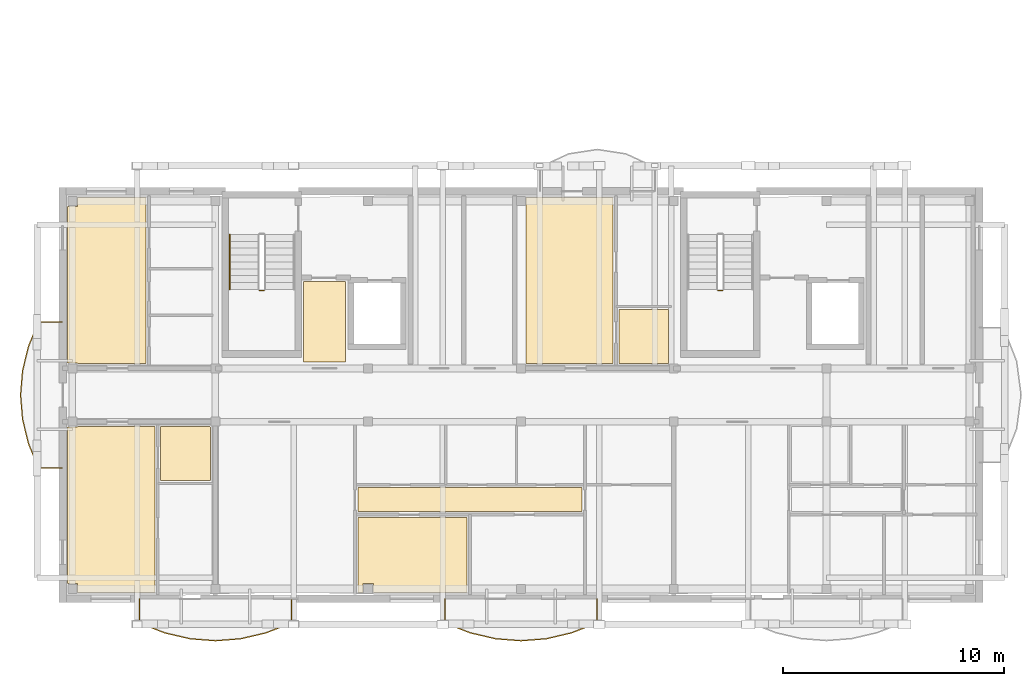
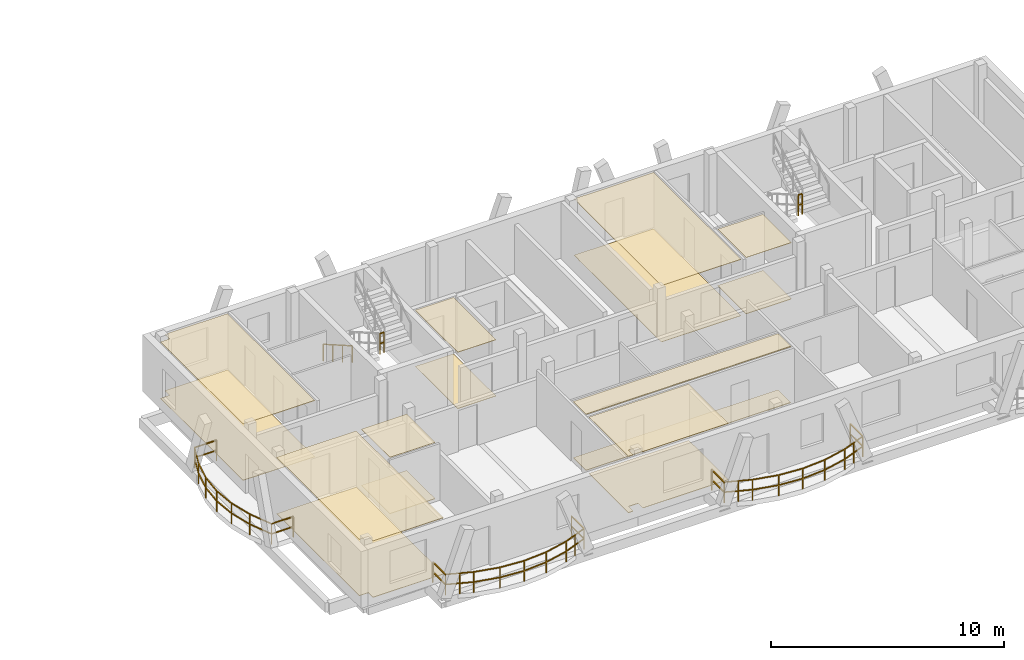
# One storey, part 8 of 10: 16 coverings, 6 railings.
"""IFC4 building model written with IfcOpenShell, lengths in metres."""

from ifc_helpers import new_model, si_unit, direction, frame, origin, origin_2d, place, context, subcontext, project, spatial, polyline, rectangle, outline, extrude, material, layer, layer_set, type_object, element, save


model = new_model("IFC4")

# Units and contexts
model_context = context("Model", 3, precision=1e-05, world=origin(), true_north=direction((0.0, 1.0)))
body_context = subcontext(model_context, "Body", "Model", "MODEL_VIEW")
ifc_project = project(units=[si_unit("LENGTHUNIT", "METRE"), si_unit("AREAUNIT", "SQUARE_METRE"), si_unit("VOLUMEUNIT", "CUBIC_METRE"), si_unit("PLANEANGLEUNIT", "RADIAN"), si_unit("MASSUNIT", "GRAM", prefix="KILO")], contexts=[model_context])

# Site, building, storey
site_placement = place(None, origin())
site = spatial("IfcSite", under=ifc_project, at=site_placement, CompositionType="ELEMENT")
building_placement = place(site_placement, origin())
building = spatial("IfcBuilding", under=site, at=building_placement, Name="Zavelmont Quarter", CompositionType="ELEMENT")
storey_placement = place(building_placement, frame((0.0, 0.0, 43.199951171875)))
storey = spatial("IfcBuildingStorey", under=building, at=storey_placement, Name="L13", CompositionType="ELEMENT", Elevation=43.199951171875)

# Coverings
ifc_material_1 = material(Name="Perforated acoustic gypsum board")
ifc_layer_1 = layer(ifc_material_1, 0.02490234375)
ifc_layer_set_1 = layer_set([ifc_layer_1], Name="Perforated acoustic gypsum board")
covering_type_1 = type_object("IfcCoveringType", Name="CV-CL01", PredefinedType="CEILING", material=ifc_layer_set_1)
covering_1_placement = place(storey_placement, frame((0.0, 0.0, 2.945068359375)))
element("IfcCovering", 1, at=covering_1_placement, inside=storey, type_object=covering_type_1, Name="L13 Lobby Vestibule acoustic ceiling", PredefinedType="CEILING", context=body_context, shape_type="SweptSolid", body=[
    extrude(outline(polyline([(10.8798828125, 14.320068359375), (12.77001953125, 14.320068359375), (12.77001953125, 10.679931640625), (10.8798828125, 10.679931640625), (10.8798828125, 14.320068359375)])), origin(), (0.0, 0.0, 1.0), 0.02490234375),
])
covering_2_placement = place(storey_placement, frame((0.0, 0.0, 2.945068359375)))
element("IfcCovering", 2, at=covering_2_placement, inside=storey, type_object=covering_type_1, Name="L13 Residents Study Lounge acoustic ceiling", PredefinedType="CEILING", context=body_context, shape_type="SweptSolid", body=[
    extrude(outline(polyline([(0.22998046875, 7.760009765625), (0.679931640625, 7.760009765625), (0.679931640625, 7.77001953125), (4.169921875, 7.77001953125), (4.169921875, 0.280029296875), (0.679931640625, 0.280029296875), (0.679931640625, 0.679931640625), (0.22998046875, 0.679931640625), (0.22998046875, 7.760009765625)])), origin(), (0.0, 0.0, 1.0), 0.02490234375),
])
covering_3_placement = place(storey_placement, frame((0.0, 0.0, 2.945068359375)))
element("IfcCovering", 3, at=covering_3_placement, inside=storey, type_object=covering_type_1, Name="L13 Single Bedroom acoustic ceiling", PredefinedType="CEILING", context=body_context, shape_type="SweptSolid", body=[
    extrude(outline(polyline([(13.330078125, 3.669921875), (18.27001953125, 3.669921875), (18.27001953125, 0.280029296875), (14.0400390625, 0.280029296875), (14.0400390625, 0.679931640625), (13.56005859375, 0.679931640625), (13.56005859375, 0.280029296875), (13.330078125, 0.280029296875), (13.330078125, 3.669921875)])), origin(), (0.0, 0.0, 1.0), 0.02490234375),
])
covering_4_placement = place(storey_placement, frame((0.0, 0.0, 2.945068359375)))
element("IfcCovering", 4, at=covering_4_placement, inside=storey, type_object=covering_type_1, Name="L13 Living Dining acoustic ceiling", PredefinedType="CEILING", context=body_context, shape_type="SweptSolid", body=[
    extrude(outline(polyline([(0.22998046875, 17.719970703125), (0.679931640625, 17.719970703125), (0.679931640625, 18.1201171875), (3.77001953125, 18.1201171875), (3.77001953125, 10.6298828125), (0.679931640625, 10.6298828125), (0.679931640625, 10.639892578125), (0.22998046875, 10.639892578125), (0.22998046875, 17.719970703125)])), origin(), (0.0, 0.0, 1.0), 0.02490234375),
])
covering_5_placement = place(storey_placement, frame((0.0, 0.0, 2.945068359375)))
element("IfcCovering", 5, at=covering_5_placement, inside=storey, type_object=covering_type_1, Name="L13 Residents Study Lounge acoustic ceiling", PredefinedType="CEILING", context=body_context, shape_type="SweptSolid", body=[
    extrude(outline(polyline([(20.929931640625, 17.719970703125), (20.93994140625, 17.719970703125), (20.93994140625, 18.1201171875), (24.8701171875, 18.1201171875), (24.8701171875, 10.6298828125), (20.93994140625, 10.6298828125), (20.93994140625, 10.639892578125), (20.929931640625, 10.639892578125), (20.929931640625, 17.719970703125)])), origin(), (0.0, 0.0, 1.0), 0.02490234375),
])
ifc_material_2 = material(Name="Slatted European ash acoustic baffle ceiling")
ifc_layer_2 = layer(ifc_material_2, 0.0400390625)
ifc_layer_set_2 = layer_set([ifc_layer_2], Name="Slatted European ash acoustic baffle ceiling")
covering_type_2 = type_object("IfcCoveringType", Name="CV-CL02", PredefinedType="CEILING", material=ifc_layer_set_2)
covering_6_placement = place(storey_placement, frame((0.0, 0.0, 2.929931640625)))
element("IfcCovering", 6, at=covering_6_placement, inside=storey, type_object=covering_type_2, Name="L13 Apartment Hall acoustic ceiling", PredefinedType="CEILING", context=body_context, shape_type="SweptSolid", body=[
    extrude(outline(polyline([(13.330078125, 5.02001953125), (23.469970703125, 5.02001953125), (23.469970703125, 3.929931640625), (13.330078125, 3.929931640625), (13.330078125, 5.02001953125)])), origin(), (0.0, 0.0, 1.0), 0.0400390625),
])
ifc_material_3 = material(Name="Moisture-resistant painted gypsum ceiling")
ifc_layer_3 = layer(ifc_material_3, 0.02001953125)
ifc_layer_set_3 = layer_set([ifc_layer_3], Name="Moisture-resistant painted gypsum ceiling")
covering_type_3 = type_object("IfcCoveringType", Name="CV-CL04", PredefinedType="CEILING", material=ifc_layer_set_3)
covering_7_placement = place(storey_placement, frame((0.0, 0.0, 2.949951171875)))
element("IfcCovering", 7, at=covering_7_placement, inside=storey, type_object=covering_type_3, Name="L13 Accessible Toilet acoustic ceiling", PredefinedType="CEILING", context=body_context, shape_type="SweptSolid", body=[
    extrude(outline(polyline([(4.429931640625, 7.77001953125), (6.659912109375, 7.77001953125), (6.659912109375, 7.760009765625), (6.669921875, 7.760009765625), (6.669921875, 5.330078125), (4.429931640625, 5.330078125), (4.429931640625, 7.77001953125)])), origin(), (0.0, 0.0, 1.0), 0.02001953125),
])
covering_8_placement = place(storey_placement, frame((0.0, 0.0, 2.949951171875)))
element("IfcCovering", 8, at=covering_8_placement, inside=storey, type_object=covering_type_3, Name="L13 Accessible Toilet acoustic ceiling", PredefinedType="CEILING", context=body_context, shape_type="SweptSolid", body=[
    extrude(outline(polyline([(25.1298828125, 13.070068359375), (27.3701171875, 13.070068359375), (27.3701171875, 10.639892578125), (27.360107421875, 10.639892578125), (27.360107421875, 10.6298828125), (25.1298828125, 10.6298828125), (25.1298828125, 13.070068359375)])), origin(), (0.0, 0.0, 1.0), 0.02001953125),
])
ifc_material_4 = material(Name="Engineered European oak parquet")
ifc_layer_4 = layer(ifc_material_4, 0.02197265625)
ifc_layer_set_4 = layer_set([ifc_layer_4], Name="Engineered European oak parquet")
covering_type_4 = type_object("IfcCoveringType", Name="CV-FL01", PredefinedType="FLOORING", material=ifc_layer_set_4)
covering_9_placement = place(storey_placement, origin())
element("IfcCovering", 9, at=covering_9_placement, inside=storey, type_object=covering_type_4, Name="L13 Lobby Vestibule floor finish", PredefinedType="FLOORING", context=body_context, shape_type="SweptSolid", body=[
    extrude(outline(polyline([(10.8798828125, 14.320068359375), (12.77001953125, 14.320068359375), (12.77001953125, 10.679931640625), (10.8798828125, 10.679931640625), (10.8798828125, 14.320068359375)])), origin(), (0.0, 0.0, 1.0), 0.02197265625),
])
covering_10_placement = place(storey_placement, origin())
element("IfcCovering", 10, at=covering_10_placement, inside=storey, type_object=covering_type_4, Name="L13 Residents Study Lounge floor finish", PredefinedType="FLOORING", context=body_context, shape_type="SweptSolid", body=[
    extrude(outline(polyline([(0.22998046875, 7.760009765625), (0.679931640625, 7.760009765625), (0.679931640625, 7.77001953125), (4.169921875, 7.77001953125), (4.169921875, 0.280029296875), (0.679931640625, 0.280029296875), (0.679931640625, 0.679931640625), (0.22998046875, 0.679931640625), (0.22998046875, 7.760009765625)])), origin(), (0.0, 0.0, 1.0), 0.02197265625),
])
covering_11_placement = place(storey_placement, origin())
element("IfcCovering", 11, at=covering_11_placement, inside=storey, type_object=covering_type_4, Name="L13 Single Bedroom floor finish", PredefinedType="FLOORING", context=body_context, shape_type="SweptSolid", body=[
    extrude(outline(polyline([(13.330078125, 3.669921875), (18.27001953125, 3.669921875), (18.27001953125, 0.280029296875), (14.0400390625, 0.280029296875), (14.0400390625, 0.679931640625), (13.56005859375, 0.679931640625), (13.56005859375, 0.280029296875), (13.330078125, 0.280029296875), (13.330078125, 3.669921875)])), origin(), (0.0, 0.0, 1.0), 0.02197265625),
])
covering_12_placement = place(storey_placement, origin())
element("IfcCovering", 12, at=covering_12_placement, inside=storey, type_object=covering_type_4, Name="L13 Living Dining floor finish", PredefinedType="FLOORING", context=body_context, shape_type="SweptSolid", body=[
    extrude(outline(polyline([(0.22998046875, 17.719970703125), (0.679931640625, 17.719970703125), (0.679931640625, 18.1201171875), (3.77001953125, 18.1201171875), (3.77001953125, 10.6298828125), (0.679931640625, 10.6298828125), (0.679931640625, 10.639892578125), (0.22998046875, 10.639892578125), (0.22998046875, 17.719970703125)])), origin(), (0.0, 0.0, 1.0), 0.02197265625),
])
covering_13_placement = place(storey_placement, origin())
element("IfcCovering", 13, at=covering_13_placement, inside=storey, type_object=covering_type_4, Name="L13 Residents Study Lounge floor finish", PredefinedType="FLOORING", context=body_context, shape_type="SweptSolid", body=[
    extrude(outline(polyline([(20.929931640625, 17.719970703125), (20.93994140625, 17.719970703125), (20.93994140625, 18.1201171875), (24.8701171875, 18.1201171875), (24.8701171875, 10.6298828125), (20.93994140625, 10.6298828125), (20.93994140625, 10.639892578125), (20.929931640625, 10.639892578125), (20.929931640625, 17.719970703125)])), origin(), (0.0, 0.0, 1.0), 0.02197265625),
])
ifc_material_5 = material(Name="Honed Belgian bluestone tile", Category="masonry")
ifc_layer_5 = layer(ifc_material_5, 0.030029296875)
ifc_layer_set_5 = layer_set([ifc_layer_5], Name="Honed Belgian bluestone tile")
covering_type_5 = type_object("IfcCoveringType", Name="CV-FL02", PredefinedType="FLOORING", material=ifc_layer_set_5)
covering_14_placement = place(storey_placement, origin())
element("IfcCovering", 14, at=covering_14_placement, inside=storey, type_object=covering_type_5, Name="L13 Apartment Hall floor finish", PredefinedType="FLOORING", context=body_context, shape_type="SweptSolid", body=[
    extrude(outline(polyline([(13.330078125, 5.02001953125), (23.469970703125, 5.02001953125), (23.469970703125, 3.929931640625), (13.330078125, 3.929931640625), (13.330078125, 5.02001953125)])), origin(), (0.0, 0.0, 1.0), 0.030029296875),
])
ifc_material_6 = material(Name="Slip-resistant porcelain tile")
ifc_layer_6 = layer(ifc_material_6, 0.02587890625)
ifc_layer_set_6 = layer_set([ifc_layer_6], Name="Slip-resistant porcelain tile")
covering_type_6 = type_object("IfcCoveringType", Name="CV-FL04", PredefinedType="FLOORING", material=ifc_layer_set_6)
covering_15_placement = place(storey_placement, origin())
element("IfcCovering", 15, at=covering_15_placement, inside=storey, type_object=covering_type_6, Name="L13 Accessible Toilet floor finish", PredefinedType="FLOORING", context=body_context, shape_type="SweptSolid", body=[
    extrude(outline(polyline([(4.429931640625, 7.77001953125), (6.659912109375, 7.77001953125), (6.659912109375, 7.760009765625), (6.669921875, 7.760009765625), (6.669921875, 5.330078125), (4.429931640625, 5.330078125), (4.429931640625, 7.77001953125)])), origin(), (0.0, 0.0, 1.0), 0.026123046875),
])
covering_16_placement = place(storey_placement, origin())
element("IfcCovering", 16, at=covering_16_placement, inside=storey, type_object=covering_type_6, Name="L13 Accessible Toilet floor finish", PredefinedType="FLOORING", context=body_context, shape_type="SweptSolid", body=[
    extrude(outline(polyline([(25.1298828125, 13.070068359375), (27.3701171875, 13.070068359375), (27.3701171875, 10.639892578125), (27.360107421875, 10.639892578125), (27.360107421875, 10.6298828125), (25.1298828125, 10.6298828125), (25.1298828125, 13.070068359375)])), origin(), (0.0, 0.0, 1.0), 0.026123046875),
])

# Railings
ifc_material_7 = material(Name="Powder-coated steel and tempered double safety glass", Category="steel")
railing_type_1 = type_object("IfcRailingType", Name="RL-BAL1", PredefinedType="BALUSTRADE", material=ifc_material_7)
railing_1_placement = place(storey_placement, frame((3.47119140625, -0.02001953125, 0.0)))
element("IfcRailing", 17, at=railing_1_placement, inside=storey, type_object=railing_type_1, Name="L13 Block A curved balcony guard RL-BAL1", PredefinedType="BALUSTRADE", context=body_context, shape_type="SweptSolid", body=[
    extrude(rectangle(XDim=0.048095703125, YDim=0.048095703125, at=origin_2d()), frame((0.0, 0.0, 1.076171875), z_axis=(0.0, -1.0, 0.0), x_axis=(1.0, 0.0, 0.0)), (0.0, 0.0, 1.0), 1.080078125),
    extrude(rectangle(XDim=0.048095703125, YDim=0.048095703125, at=origin_2d()), frame((0.0, 0.0, 0.550048828125), z_axis=(0.0, -1.0, 0.0), x_axis=(1.0, 0.0, 0.0)), (0.0, 0.0, 1.0), 1.080078125),
    extrude(rectangle(XDim=0.048095703125, YDim=0.048095703125, at=origin_2d()), frame((0.0, -1.080078125, 1.076171875), z_axis=(0.931694301738, -0.363243345582, 0.0), x_axis=(0.363243345582, 0.931694301738, 0.0)), (0.0, 0.0, 1.0), 1.2265625),
    extrude(rectangle(XDim=0.048095703125, YDim=0.048095703125, at=origin_2d()), frame((0.0, -1.080078125, 0.550048828125), z_axis=(0.931694301738, -0.363243345582, 0.0), x_axis=(0.363243345582, 0.931694301738, 0.0)), (0.0, 0.0, 1.0), 1.2265625),
    extrude(rectangle(XDim=0.048095703125, YDim=0.048095703125, at=origin_2d()), frame((1.142822265625, -1.525634765625, 1.076171875), z_axis=(0.973724494565, -0.227729244244, 0.0), x_axis=(0.227729244244, 0.973724494565, 0.0)), (0.0, 0.0, 1.0), 1.173828125),
    extrude(rectangle(XDim=0.048095703125, YDim=0.048095703125, at=origin_2d()), frame((1.142822265625, -1.525634765625, 0.550048828125), z_axis=(0.973724494565, -0.227729244244, 0.0), x_axis=(0.227729244244, 0.973724494565, 0.0)), (0.0, 0.0, 1.0), 1.173828125),
    extrude(rectangle(XDim=0.048095703125, YDim=0.048095703125, at=origin_2d()), frame((2.285888671875, -1.79296875, 1.076171875), z_axis=(0.996973758773, -0.077738821182, 0.0), x_axis=(0.077738821182, 0.996973758773, 0.0)), (0.0, 0.0, 1.0), 1.146240234375),
    extrude(rectangle(XDim=0.048095703125, YDim=0.048095703125, at=origin_2d()), frame((2.285888671875, -1.79296875, 0.550048828125), z_axis=(0.996973758773, -0.077738821182, 0.0), x_axis=(0.077738821182, 0.996973758773, 0.0)), (0.0, 0.0, 1.0), 1.146240234375),
    extrude(rectangle(XDim=0.048095703125, YDim=0.048095703125, at=origin_2d()), frame((3.4287109375, -1.882080078125, 1.076171875), z_axis=(0.996975045489, 0.077722317728, 0.0), x_axis=(-0.077722317728, 0.996975045489, 0.0)), (0.0, 0.0, 1.0), 1.146484375),
    extrude(rectangle(XDim=0.048095703125, YDim=0.048095703125, at=origin_2d()), frame((3.4287109375, -1.882080078125, 0.550048828125), z_axis=(0.996975045489, 0.077722317728, 0.0), x_axis=(-0.077722317728, 0.996975045489, 0.0)), (0.0, 0.0, 1.0), 1.146484375),
    extrude(rectangle(XDim=0.048095703125, YDim=0.048095703125, at=origin_2d()), frame((4.57177734375, -1.79296875, 1.076171875), z_axis=(0.973713705738, 0.227775370174, 0.0), x_axis=(-0.227775370174, 0.973713705738, 0.0)), (0.0, 0.0, 1.0), 1.173583984375),
    extrude(rectangle(XDim=0.048095703125, YDim=0.048095703125, at=origin_2d()), frame((4.57177734375, -1.79296875, 0.550048828125), z_axis=(0.973713705738, 0.227775370174, 0.0), x_axis=(-0.227775370174, 0.973713705738, 0.0)), (0.0, 0.0, 1.0), 1.173583984375),
    extrude(rectangle(XDim=0.048095703125, YDim=0.048095703125, at=origin_2d()), frame((5.714599609375, -1.525634765625, 1.076171875), z_axis=(0.931720556575, 0.363175996529, 0.0), x_axis=(-0.363175996529, 0.931720556575, 0.0)), (0.0, 0.0, 1.0), 1.226806640625),
    extrude(rectangle(XDim=0.048095703125, YDim=0.048095703125, at=origin_2d()), frame((5.714599609375, -1.525634765625, 0.550048828125), z_axis=(0.931720556575, 0.363175996529, 0.0), x_axis=(-0.363175996529, 0.931720556575, 0.0)), (0.0, 0.0, 1.0), 1.226806640625),
    extrude(rectangle(XDim=0.048095703125, YDim=0.048095703125, at=origin_2d()), frame((6.857666015625, -1.080078125, 1.076171875), z_axis=(0.0, 1.0, 0.0), x_axis=(-1.0, 0.0, 0.0)), (0.0, 0.0, 1.0), 1.080078125),
    extrude(rectangle(XDim=0.048095703125, YDim=0.048095703125, at=origin_2d()), frame((6.857666015625, -1.080078125, 0.550048828125), z_axis=(0.0, 1.0, 0.0), x_axis=(-1.0, 0.0, 0.0)), (0.0, 0.0, 1.0), 1.080078125),
    extrude(rectangle(XDim=0.0419921875, YDim=0.0419921875, at=origin_2d()), origin(), (0.0, 0.0, 1.0), 1.052001953125),
    extrude(rectangle(XDim=0.0419921875, YDim=0.0419921875, at=origin_2d()), frame((0.0, -1.080078125, 0.0)), (0.0, 0.0, 1.0), 1.052001953125),
    extrude(rectangle(XDim=0.0419921875, YDim=0.0419921875, at=origin_2d()), frame((0.5712890625, -1.302734375, 0.0)), (0.0, 0.0, 1.0), 1.052001953125),
    extrude(rectangle(XDim=0.0419921875, YDim=0.0419921875, at=origin_2d()), frame((1.142822265625, -1.525634765625, 0.0)), (0.0, 0.0, 1.0), 1.052001953125),
    extrude(rectangle(XDim=0.0419921875, YDim=0.0419921875, at=origin_2d()), frame((2.285888671875, -1.79296875, 0.0)), (0.0, 0.0, 1.0), 1.052001953125),
    extrude(rectangle(XDim=0.0419921875, YDim=0.0419921875, at=origin_2d()), frame((3.4287109375, -1.882080078125, 0.0)), (0.0, 0.0, 1.0), 1.052001953125),
    extrude(rectangle(XDim=0.0419921875, YDim=0.0419921875, at=origin_2d()), frame((4.57177734375, -1.79296875, 0.0)), (0.0, 0.0, 1.0), 1.052001953125),
    extrude(rectangle(XDim=0.0419921875, YDim=0.0419921875, at=origin_2d()), frame((5.714599609375, -1.525634765625, 0.0)), (0.0, 0.0, 1.0), 1.052001953125),
    extrude(rectangle(XDim=0.0419921875, YDim=0.0419921875, at=origin_2d()), frame((6.2861328125, -1.302734375, 0.0)), (0.0, 0.0, 1.0), 1.052001953125),
    extrude(rectangle(XDim=0.0419921875, YDim=0.0419921875, at=origin_2d()), frame((6.857666015625, -1.080078125, 0.0)), (0.0, 0.0, 1.0), 1.052001953125),
    extrude(rectangle(XDim=0.0419921875, YDim=0.0419921875, at=origin_2d()), frame((6.857666015625, 0.0, 0.0)), (0.0, 0.0, 1.0), 1.052001953125),
])
railing_2_placement = place(storey_placement, frame((17.27099609375, -0.02001953125, 0.0)))
element("IfcRailing", 18, at=railing_2_placement, inside=storey, type_object=railing_type_1, Name="L13 Block A curved balcony guard RL-BAL1", PredefinedType="BALUSTRADE", context=body_context, shape_type="SweptSolid", body=[
    extrude(rectangle(XDim=0.048095703125, YDim=0.048095703125, at=origin_2d()), frame((0.0, 0.0, 1.076171875), z_axis=(0.0, -1.0, 0.0), x_axis=(1.0, 0.0, 0.0)), (0.0, 0.0, 1.0), 1.080078125),
    extrude(rectangle(XDim=0.048095703125, YDim=0.048095703125, at=origin_2d()), frame((0.0, 0.0, 0.550048828125), z_axis=(0.0, -1.0, 0.0), x_axis=(1.0, 0.0, 0.0)), (0.0, 0.0, 1.0), 1.080078125),
    extrude(rectangle(XDim=0.048095703125, YDim=0.048095703125, at=origin_2d()), frame((0.0, -1.080078125, 1.076171875), z_axis=(0.931720556575, -0.363175996529, 0.0), x_axis=(0.363175996529, 0.931720556575, 0.0)), (0.0, 0.0, 1.0), 1.226806640625),
    extrude(rectangle(XDim=0.048095703125, YDim=0.048095703125, at=origin_2d()), frame((0.0, -1.080078125, 0.550048828125), z_axis=(0.931720556575, -0.363175996529, 0.0), x_axis=(0.363175996529, 0.931720556575, 0.0)), (0.0, 0.0, 1.0), 1.226806640625),
    extrude(rectangle(XDim=0.048095703125, YDim=0.048095703125, at=origin_2d()), frame((1.14306640625, -1.525634765625, 1.076171875), z_axis=(0.973713705738, -0.227775370174, 0.0), x_axis=(0.227775370174, 0.973713705738, 0.0)), (0.0, 0.0, 1.0), 1.173583984375),
    extrude(rectangle(XDim=0.048095703125, YDim=0.048095703125, at=origin_2d()), frame((1.14306640625, -1.525634765625, 0.550048828125), z_axis=(0.973713705738, -0.227775370174, 0.0), x_axis=(0.227775370174, 0.973713705738, 0.0)), (0.0, 0.0, 1.0), 1.173583984375),
    extrude(rectangle(XDim=0.048095703125, YDim=0.048095703125, at=origin_2d()), frame((2.285888671875, -1.79296875, 1.076171875), z_axis=(0.996975045489, -0.077722317728, 0.0), x_axis=(0.077722317728, 0.996975045489, 0.0)), (0.0, 0.0, 1.0), 1.146484375),
    extrude(rectangle(XDim=0.048095703125, YDim=0.048095703125, at=origin_2d()), frame((2.285888671875, -1.79296875, 0.550048828125), z_axis=(0.996975045489, -0.077722317728, 0.0), x_axis=(0.077722317728, 0.996975045489, 0.0)), (0.0, 0.0, 1.0), 1.146484375),
    extrude(rectangle(XDim=0.048095703125, YDim=0.048095703125, at=origin_2d()), frame((3.428955078125, -1.882080078125, 1.076171875), z_axis=(0.996975045489, 0.077722317728, 0.0), x_axis=(-0.077722317728, 0.996975045489, 0.0)), (0.0, 0.0, 1.0), 1.146484375),
    extrude(rectangle(XDim=0.048095703125, YDim=0.048095703125, at=origin_2d()), frame((3.428955078125, -1.882080078125, 0.550048828125), z_axis=(0.996975045489, 0.077722317728, 0.0), x_axis=(-0.077722317728, 0.996975045489, 0.0)), (0.0, 0.0, 1.0), 1.146484375),
    extrude(rectangle(XDim=0.048095703125, YDim=0.048095703125, at=origin_2d()), frame((4.572021484375, -1.79296875, 1.076171875), z_axis=(0.973713705738, 0.227775370174, 0.0), x_axis=(-0.227775370174, 0.973713705738, 0.0)), (0.0, 0.0, 1.0), 1.173583984375),
    extrude(rectangle(XDim=0.048095703125, YDim=0.048095703125, at=origin_2d()), frame((4.572021484375, -1.79296875, 0.550048828125), z_axis=(0.973713705738, 0.227775370174, 0.0), x_axis=(-0.227775370174, 0.973713705738, 0.0)), (0.0, 0.0, 1.0), 1.173583984375),
    extrude(rectangle(XDim=0.048095703125, YDim=0.048095703125, at=origin_2d()), frame((5.71484375, -1.525634765625, 1.076171875), z_axis=(0.931720556575, 0.363175996529, 0.0), x_axis=(-0.363175996529, 0.931720556575, 0.0)), (0.0, 0.0, 1.0), 1.226806640625),
    extrude(rectangle(XDim=0.048095703125, YDim=0.048095703125, at=origin_2d()), frame((5.71484375, -1.525634765625, 0.550048828125), z_axis=(0.931720556575, 0.363175996529, 0.0), x_axis=(-0.363175996529, 0.931720556575, 0.0)), (0.0, 0.0, 1.0), 1.226806640625),
    extrude(rectangle(XDim=0.048095703125, YDim=0.048095703125, at=origin_2d()), frame((6.85791015625, -1.080078125, 1.076171875), z_axis=(0.0, 1.0, 0.0), x_axis=(-1.0, 0.0, 0.0)), (0.0, 0.0, 1.0), 1.080078125),
    extrude(rectangle(XDim=0.048095703125, YDim=0.048095703125, at=origin_2d()), frame((6.85791015625, -1.080078125, 0.550048828125), z_axis=(0.0, 1.0, 0.0), x_axis=(-1.0, 0.0, 0.0)), (0.0, 0.0, 1.0), 1.080078125),
    extrude(rectangle(XDim=0.0419921875, YDim=0.0419921875, at=origin_2d()), origin(), (0.0, 0.0, 1.0), 1.052001953125),
    extrude(rectangle(XDim=0.0419921875, YDim=0.0419921875, at=origin_2d()), frame((0.0, -1.080078125, 0.0)), (0.0, 0.0, 1.0), 1.052001953125),
    extrude(rectangle(XDim=0.0419921875, YDim=0.0419921875, at=origin_2d()), frame((0.571533203125, -1.302734375, 0.0)), (0.0, 0.0, 1.0), 1.052001953125),
    extrude(rectangle(XDim=0.0419921875, YDim=0.0419921875, at=origin_2d()), frame((1.14306640625, -1.525634765625, 0.0)), (0.0, 0.0, 1.0), 1.052001953125),
    extrude(rectangle(XDim=0.0419921875, YDim=0.0419921875, at=origin_2d()), frame((2.285888671875, -1.79296875, 0.0)), (0.0, 0.0, 1.0), 1.052001953125),
    extrude(rectangle(XDim=0.0419921875, YDim=0.0419921875, at=origin_2d()), frame((3.428955078125, -1.882080078125, 0.0)), (0.0, 0.0, 1.0), 1.052001953125),
    extrude(rectangle(XDim=0.0419921875, YDim=0.0419921875, at=origin_2d()), frame((4.572021484375, -1.79296875, 0.0)), (0.0, 0.0, 1.0), 1.052001953125),
    extrude(rectangle(XDim=0.0419921875, YDim=0.0419921875, at=origin_2d()), frame((5.71484375, -1.525634765625, 0.0)), (0.0, 0.0, 1.0), 1.052001953125),
    extrude(rectangle(XDim=0.0419921875, YDim=0.0419921875, at=origin_2d()), frame((6.286376953125, -1.302734375, 0.0)), (0.0, 0.0, 1.0), 1.052001953125),
    extrude(rectangle(XDim=0.0419921875, YDim=0.0419921875, at=origin_2d()), frame((6.85791015625, -1.080078125, 0.0)), (0.0, 0.0, 1.0), 1.052001953125),
    extrude(rectangle(XDim=0.0419921875, YDim=0.0419921875, at=origin_2d()), frame((6.85791015625, 0.0, 0.0)), (0.0, 0.0, 1.0), 1.052001953125),
])
railing_3_placement = place(storey_placement, frame((-0.02001953125, 12.491943359375, 0.0)))
element("IfcRailing", 19, at=railing_3_placement, inside=storey, type_object=railing_type_1, Name="L13 Block A curved balcony guard RL-BAL1", PredefinedType="BALUSTRADE", context=body_context, shape_type="SweptSolid", body=[
    extrude(rectangle(XDim=0.048095703125, YDim=0.048095703125, at=origin_2d()), frame((0.0, 0.0, 1.076171875), z_axis=(-1.0, 0.0, 0.0), x_axis=(0.0, -1.0, 0.0)), (0.0, 0.0, 1.0), 1.080078125),
    extrude(rectangle(XDim=0.048095703125, YDim=0.048095703125, at=origin_2d()), frame((0.0, 0.0, 0.550048828125), z_axis=(-1.0, 0.0, 0.0), x_axis=(0.0, -1.0, 0.0)), (0.0, 0.0, 1.0), 1.080078125),
    extrude(rectangle(XDim=0.048095703125, YDim=0.048095703125, at=origin_2d()), frame((-1.080078125, 0.0, 1.076171875), z_axis=(-0.376255382519, -0.926515993994, 0.0), x_axis=(0.926515993994, -0.376255382519, 0.0)), (0.0, 0.0, 1.0), 1.18408203125),
    extrude(rectangle(XDim=0.048095703125, YDim=0.048095703125, at=origin_2d()), frame((-1.080078125, 0.0, 0.550048828125), z_axis=(-0.376255382519, -0.926515993994, 0.0), x_axis=(0.926515993994, -0.376255382519, 0.0)), (0.0, 0.0, 1.0), 1.18408203125),
    extrude(rectangle(XDim=0.048095703125, YDim=0.048095703125, at=origin_2d()), frame((-1.525634765625, -1.09716796875, 1.076171875), z_axis=(-0.236682496091, -0.971587050163, 0.0), x_axis=(0.971587050163, -0.236682496091, 0.0)), (0.0, 0.0, 1.0), 1.12939453125),
    extrude(rectangle(XDim=0.048095703125, YDim=0.048095703125, at=origin_2d()), frame((-1.525634765625, -1.09716796875, 0.550048828125), z_axis=(-0.236682496091, -0.971587050163, 0.0), x_axis=(0.971587050163, -0.236682496091, 0.0)), (0.0, 0.0, 1.0), 1.12939453125),
    extrude(rectangle(XDim=0.048095703125, YDim=0.048095703125, at=origin_2d()), frame((-1.79296875, -2.194580078125, 1.076171875), z_axis=(-0.080934944593, -0.996719386158, 0.0), x_axis=(0.996719386158, -0.080934944593, 0.0)), (0.0, 0.0, 1.0), 1.10107421875),
    extrude(rectangle(XDim=0.048095703125, YDim=0.048095703125, at=origin_2d()), frame((-1.79296875, -2.194580078125, 0.550048828125), z_axis=(-0.080934944593, -0.996719386158, 0.0), x_axis=(0.996719386158, -0.080934944593, 0.0)), (0.0, 0.0, 1.0), 1.10107421875),
    extrude(rectangle(XDim=0.048095703125, YDim=0.048095703125, at=origin_2d()), frame((-1.882080078125, -3.2919921875, 1.076171875), z_axis=(0.080952836139, -0.996717933179, 0.0), x_axis=(0.996717933179, 0.080952836139, 0.0)), (0.0, 0.0, 1.0), 1.100830078125),
    extrude(rectangle(XDim=0.048095703125, YDim=0.048095703125, at=origin_2d()), frame((-1.882080078125, -3.2919921875, 0.550048828125), z_axis=(0.080952836139, -0.996717933179, 0.0), x_axis=(0.996717933179, 0.080952836139, 0.0)), (0.0, 0.0, 1.0), 1.100830078125),
    extrude(rectangle(XDim=0.048095703125, YDim=0.048095703125, at=origin_2d()), frame((-1.79296875, -4.38916015625, 1.076171875), z_axis=(0.236682496091, -0.971587050163, 0.0), x_axis=(0.971587050163, 0.236682496091, 0.0)), (0.0, 0.0, 1.0), 1.12939453125),
    extrude(rectangle(XDim=0.048095703125, YDim=0.048095703125, at=origin_2d()), frame((-1.79296875, -4.38916015625, 0.550048828125), z_axis=(0.236682496091, -0.971587050163, 0.0), x_axis=(0.971587050163, 0.236682496091, 0.0)), (0.0, 0.0, 1.0), 1.12939453125),
    extrude(rectangle(XDim=0.048095703125, YDim=0.048095703125, at=origin_2d()), frame((-1.525634765625, -5.486572265625, 1.076171875), z_axis=(0.376183523814, -0.926545172353, 0.0), x_axis=(0.926545172353, 0.376183523814, 0.0)), (0.0, 0.0, 1.0), 1.184326171875),
    extrude(rectangle(XDim=0.048095703125, YDim=0.048095703125, at=origin_2d()), frame((-1.525634765625, -5.486572265625, 0.550048828125), z_axis=(0.376183523814, -0.926545172353, 0.0), x_axis=(0.926545172353, 0.376183523814, 0.0)), (0.0, 0.0, 1.0), 1.184326171875),
    extrude(rectangle(XDim=0.048095703125, YDim=0.048095703125, at=origin_2d()), frame((-1.080078125, -6.583984375, 1.076171875), z_axis=(1.0, 0.0, 0.0), x_axis=(0.0, 1.0, 0.0)), (0.0, 0.0, 1.0), 1.080078125),
    extrude(rectangle(XDim=0.048095703125, YDim=0.048095703125, at=origin_2d()), frame((-1.080078125, -6.583984375, 0.550048828125), z_axis=(1.0, 0.0, 0.0), x_axis=(0.0, 1.0, 0.0)), (0.0, 0.0, 1.0), 1.080078125),
    extrude(rectangle(XDim=0.0419921875, YDim=0.0419921875, at=origin_2d()), origin(), (0.0, 0.0, 1.0), 1.052001953125),
    extrude(rectangle(XDim=0.0419921875, YDim=0.0419921875, at=origin_2d()), frame((-1.080078125, 0.0, 0.0)), (0.0, 0.0, 1.0), 1.052001953125),
    extrude(rectangle(XDim=0.0419921875, YDim=0.0419921875, at=origin_2d()), frame((-1.525634765625, -1.09716796875, 0.0)), (0.0, 0.0, 1.0), 1.052001953125),
    extrude(rectangle(XDim=0.0419921875, YDim=0.0419921875, at=origin_2d()), frame((-1.79296875, -2.194580078125, 0.0)), (0.0, 0.0, 1.0), 1.052001953125),
    extrude(rectangle(XDim=0.0419921875, YDim=0.0419921875, at=origin_2d()), frame((-1.882080078125, -3.2919921875, 0.0)), (0.0, 0.0, 1.0), 1.052001953125),
    extrude(rectangle(XDim=0.0419921875, YDim=0.0419921875, at=origin_2d()), frame((-1.79296875, -4.38916015625, 0.0)), (0.0, 0.0, 1.0), 1.052001953125),
    extrude(rectangle(XDim=0.0419921875, YDim=0.0419921875, at=origin_2d()), frame((-1.525634765625, -5.486572265625, 0.0)), (0.0, 0.0, 1.0), 1.052001953125),
    extrude(rectangle(XDim=0.0419921875, YDim=0.0419921875, at=origin_2d()), frame((-1.080078125, -6.583984375, 0.0)), (0.0, 0.0, 1.0), 1.052001953125),
    extrude(rectangle(XDim=0.0419921875, YDim=0.0419921875, at=origin_2d()), frame((0.0, -6.583984375, 0.0)), (0.0, 0.0, 1.0), 1.052001953125),
])
ifc_material_8 = material(Name="Powder-coated steel stair guardrail", Category="steel")
railing_type_2 = type_object("IfcRailingType", Name="RL-GRD1", PredefinedType="GUARDRAIL", material=ifc_material_8)
railing_4_placement = place(storey_placement, frame((8.89990234375, 13.919921875, 1.60009765625)))
element("IfcRailing", 20, at=railing_4_placement, inside=storey, type_object=railing_type_2, Name="L13 ST01 stair guardrail 2", PredefinedType="GUARDRAIL", context=body_context, shape_type="SweptSolid", body=[
    extrude(rectangle(XDim=0.048095703125, YDim=0.048095703125, at=origin_2d()), frame((0.0, 0.0, 1.076171875), z_axis=(1.0, 0.0, 0.0), x_axis=(0.0, 1.0, 0.0)), (0.0, 0.0, 1.0), 0.2001953125),
    extrude(rectangle(XDim=0.048095703125, YDim=0.048095703125, at=origin_2d()), frame((0.0, 0.0, 0.550048828125), z_axis=(1.0, 0.0, 0.0), x_axis=(0.0, 1.0, 0.0)), (0.0, 0.0, 1.0), 0.2001953125),
    extrude(rectangle(XDim=0.0419921875, YDim=0.0419921875, at=origin_2d()), origin(), (0.0, 0.0, 1.0), 1.052001953125),
    extrude(rectangle(XDim=0.0419921875, YDim=0.0419921875, at=origin_2d()), frame((0.2001953125, 0.0, 0.0)), (0.0, 0.0, 1.0), 1.052001953125),
])
railing_5_placement = place(storey_placement, frame((29.60009765625, 13.919921875, 1.60009765625)))
element("IfcRailing", 21, at=railing_5_placement, inside=storey, type_object=railing_type_2, Name="L13 ST02 stair guardrail 2", PredefinedType="GUARDRAIL", context=body_context, shape_type="SweptSolid", body=[
    extrude(rectangle(XDim=0.048095703125, YDim=0.048095703125, at=origin_2d()), frame((0.0, 0.0, 1.076171875), z_axis=(1.0, 0.0, 0.0), x_axis=(0.0, 1.0, 0.0)), (0.0, 0.0, 1.0), 0.199951171875),
    extrude(rectangle(XDim=0.048095703125, YDim=0.048095703125, at=origin_2d()), frame((0.0, 0.0, 0.550048828125), z_axis=(1.0, 0.0, 0.0), x_axis=(0.0, 1.0, 0.0)), (0.0, 0.0, 1.0), 0.199951171875),
    extrude(rectangle(XDim=0.0419921875, YDim=0.0419921875, at=origin_2d()), origin(), (0.0, 0.0, 1.0), 1.052001953125),
    extrude(rectangle(XDim=0.0419921875, YDim=0.0419921875, at=origin_2d()), frame((0.199951171875, 0.0, 0.0)), (0.0, 0.0, 1.0), 1.052001953125),
])
ifc_material_9 = material(Name="Brushed stainless-steel wall handrail", Category="steel")
railing_type_3 = type_object("IfcRailingType", Name="RL-HND1", PredefinedType="HANDRAIL", material=ifc_material_9)
railing_6_placement = place(storey_placement, frame((7.550048828125, 16.449951171875, 0.177734375)))
element("IfcRailing", 22, at=railing_6_placement, inside=storey, type_object=railing_type_3, Name="L13 ST01 stair handrail 1", PredefinedType="HANDRAIL", context=body_context, shape_type="SweptSolid", body=[
    extrude(rectangle(XDim=0.048095703125, YDim=0.048095703125, at=origin_2d()), frame((0.0, 0.0, 0.8759765625), z_axis=(0.0, -0.867453774394, 0.497517787913), x_axis=(1.0, 0.0, 0.0)), (0.0, 0.0, 1.0), 2.85888671875),
    extrude(rectangle(XDim=0.0419921875, YDim=0.0419921875, at=origin_2d()), origin(), (0.0, 0.0, 1.0), 0.851806640625),
    extrude(rectangle(XDim=0.0419921875, YDim=0.0419921875, at=origin_2d()), frame((0.0, -0.82666015625, 0.47412109375)), (0.0, 0.0, 1.0), 0.851806640625),
    extrude(rectangle(XDim=0.0419921875, YDim=0.0419921875, at=origin_2d()), frame((0.0, -1.6533203125, 0.9482421875)), (0.0, 0.0, 1.0), 0.851806640625),
    extrude(rectangle(XDim=0.0419921875, YDim=0.0419921875, at=origin_2d()), frame((0.0, -2.47998046875, 1.42236328125)), (0.0, 0.0, 1.0), 0.851806640625),
])

save(model, "model.ifc")
